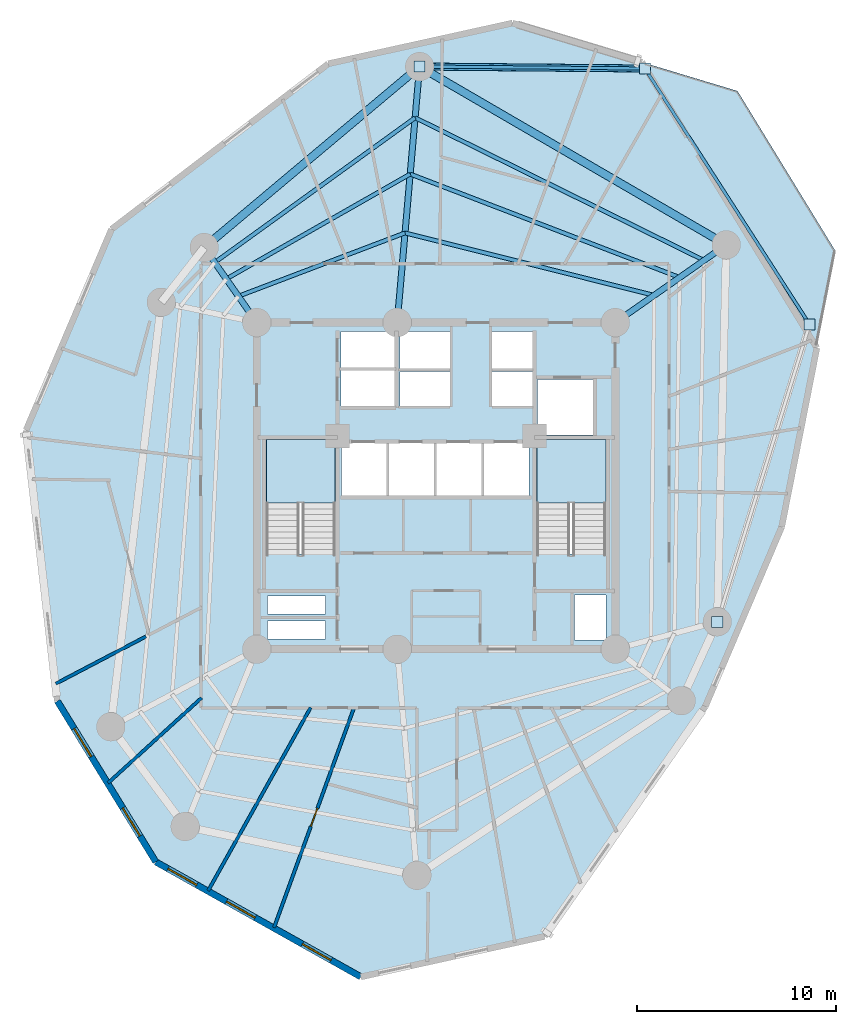
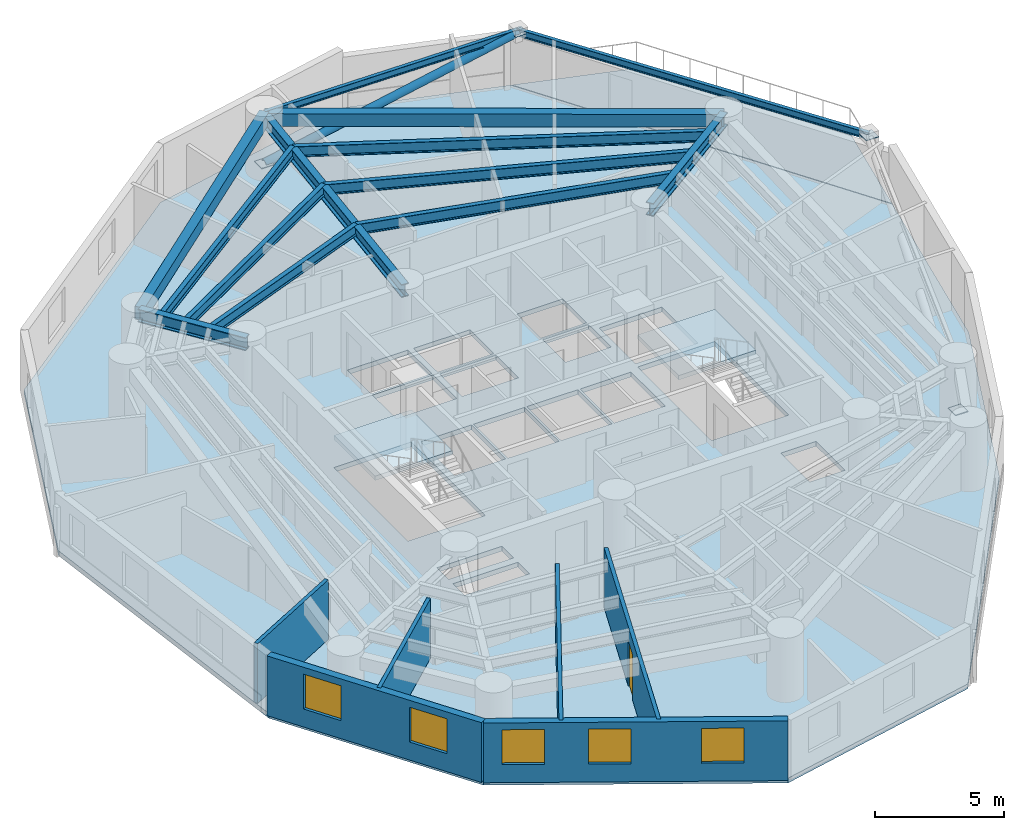
# One storey, part 2 of 9: 13 beams, 6 walls, 5 windows, 4 plates, 4 slabs, 1 door, 1 member, 6 openings, 2 elements without a shape of their own.
"""IFC4 building model written with IfcOpenShell, lengths in metres."""

from ifc_helpers import new_model, si_unit, direction, frame, frame_2d, origin, origin_with_axes, origin_2d, place, context, subcontext, project, spatial, polyline, rectangle, hollow_circle, i_section, outline, extrude, source, transform, mapped, material, layer, layer_set, material_profile, profile_set, type_object, element, fill, aggregate, save


model = new_model("IFC4")

# Units and contexts
model_context = context("Model", 3, precision=1e-05, world=origin(), true_north=direction((0.0, 1.0)))
body_context = subcontext(model_context, "Body", "Model", "MODEL_VIEW")
ifc_project = project(units=[si_unit("LENGTHUNIT", "METRE"), si_unit("AREAUNIT", "SQUARE_METRE"), si_unit("VOLUMEUNIT", "CUBIC_METRE"), si_unit("PLANEANGLEUNIT", "RADIAN"), si_unit("MASSUNIT", "GRAM", prefix="KILO")], contexts=[model_context])

# Site, building, storey
site_placement = place(None, origin())
site = spatial("IfcSite", under=ifc_project, at=site_placement, CompositionType="ELEMENT")
building_placement = place(site_placement, origin())
building = spatial("IfcBuilding", under=site, at=building_placement, Name="Karkom Vertical University and Central Library", CompositionType="ELEMENT")
storey_placement = place(building_placement, frame((0.0, 0.0, 129.75)))
storey = spatial("IfcBuildingStorey", under=building, at=storey_placement, Name="L36", CompositionType="ELEMENT", Elevation=129.75)

# Beams
ifc_material_1 = material(Name="Precast concrete C45/55", Category="concrete")
ifc_material_profile_1 = material_profile(ifc_material_1, rectangle(XDim=0.39990234375, YDim=0.60009765625, at=origin_2d()), Name="SPB-400x600")
ifc_profile_set_1 = profile_set([ifc_material_profile_1], Name="Precast concrete C45/55")
beam_type_1 = type_object("IfcBeamType", Name="STR-BM-SP-1", PredefinedType="SPANDREL", material=ifc_profile_set_1)
shared_shape_1 = source(origin_with_axes(), body_context, "Body", "SweptSolid", [
    extrude(rectangle(XDim=0.39990234375, YDim=0.60009765625, at=origin_2d()), origin(), (0.0, 0.0, 1.0), 17.808837890625),
])
beam_1_placement = place(storey_placement, frame((43.070068359375, 38.60009765625, 2.52490234375), z_axis=(-0.864512866362, 0.502610688202, 0.0), x_axis=(-0.502610688202, -0.864512866362, 0.0)))
element("IfcBeam", 1, at=beam_1_placement, inside=storey, type_object=beam_type_1, Name="Level 36 Perimeter Spandrel Beam 02", PredefinedType="SPANDREL", context=body_context, shape_type="MappedRepresentation", body=[
    mapped(shared_shape_1, transform((0.0, 0.0, 0.0), scale=1.0)),
])
shared_shape_2 = source(origin_with_axes(), body_context, "Body", "SweptSolid", [
    extrude(rectangle(XDim=0.39990234375, YDim=0.60009765625, at=origin_2d()), origin(), (0.0, 0.0, 1.0), 14.120849609375),
])
beam_2_placement = place(storey_placement, frame((27.674072265625, 47.551025390625, 2.52490234375), z_axis=(-0.765672847866, -0.643230199883, 0.0), x_axis=(0.643230199883, -0.765672847866, 0.0)))
element("IfcBeam", 2, at=beam_2_placement, inside=storey, type_object=beam_type_1, Name="Level 36 Perimeter Spandrel Beam 03", PredefinedType="SPANDREL", context=body_context, shape_type="MappedRepresentation", body=[
    mapped(shared_shape_2, transform((0.0, 0.0, 0.0), scale=1.0)),
])
ifc_material_2 = material(Name="Steel S355", Category="steel")
ifc_material_profile_2 = material_profile(ifc_material_2, i_section(OverallWidth=0.199951171875, OverallDepth=0.5, WebThickness=0.01025390625, FlangeThickness=0.01611328125, FilletRadius=0.02099609375, at=origin_2d()), Name="IPE 500")
ifc_profile_set_2 = profile_set([ifc_material_profile_2], Name="Steel S355")
beam_type_2 = type_object("IfcBeamType", Name="STR-BM-SB-IPE500", PredefinedType="BEAM", material=ifc_profile_set_2)
shared_shape_3 = source(origin_with_axes(), body_context, "Body", "SweptSolid", [
    extrude(i_section(OverallWidth=0.199951171875, OverallDepth=0.5, WebThickness=0.01025390625, FlangeThickness=0.01611328125, FilletRadius=0.02099609375, at=origin_2d()), origin(), (0.0, 0.0, 1.0), 12.892578125),
])
beam_3_placement = place(storey_placement, frame((39.449462890625, 36.06494140625, 2.574951171875), z_axis=(-0.970023194321, 0.243012350468, 0.0), x_axis=(-0.243012350468, -0.970023194321, 0.0)))
element("IfcBeam", 3, at=beam_3_placement, inside=storey, type_object=beam_type_2, Name="Level 36 Secondary Composite Floor Beam 1.02", PredefinedType="BEAM", context=body_context, shape_type="MappedRepresentation", body=[
    mapped(shared_shape_3, transform((0.0, 0.0, 0.0), scale=1.0)),
])
shared_shape_4 = source(origin_with_axes(), body_context, "Body", "SweptSolid", [
    extrude(i_section(OverallWidth=0.199951171875, OverallDepth=0.5, WebThickness=0.01025390625, FlangeThickness=0.01611328125, FilletRadius=0.02099609375, at=origin_2d()), origin(), (0.0, 0.0, 1.0), 8.950439453125),
])
beam_4_placement = place(storey_placement, frame((26.943359375, 39.197998046875, 2.574951171875), z_axis=(-0.93478901494, -0.355203459368, 0.0), x_axis=(0.355203459368, -0.93478901494, 0.0)))
element("IfcBeam", 4, at=beam_4_placement, inside=storey, type_object=beam_type_2, Name="Level 36 Secondary Composite Floor Beam 1.03", PredefinedType="BEAM", context=body_context, shape_type="MappedRepresentation", body=[
    mapped(shared_shape_4, transform((0.0, 0.0, 0.0), scale=1.0)),
])
shared_shape_5 = source(origin_with_axes(), body_context, "Body", "SweptSolid", [
    extrude(i_section(OverallWidth=0.199951171875, OverallDepth=0.5, WebThickness=0.01025390625, FlangeThickness=0.01611328125, FilletRadius=0.02099609375, at=origin_2d()), origin(), (0.0, 0.0, 1.0), 14.49072265625),
])
beam_5_placement = place(storey_placement, frame((40.730712890625, 36.9619140625, 2.574951171875), z_axis=(-0.93361673171, 0.35827335691, 0.0), x_axis=(-0.35827335691, -0.93361673171, 0.0)))
element("IfcBeam", 5, at=beam_5_placement, inside=storey, type_object=beam_type_2, Name="Level 36 Secondary Composite Floor Beam 2.02", PredefinedType="BEAM", context=body_context, shape_type="MappedRepresentation", body=[
    mapped(shared_shape_5, transform((0.0, 0.0, 0.0), scale=1.0)),
])
shared_shape_6 = source(origin_with_axes(), body_context, "Body", "SweptSolid", [
    extrude(i_section(OverallWidth=0.199951171875, OverallDepth=0.5, WebThickness=0.01025390625, FlangeThickness=0.01611328125, FilletRadius=0.02099609375, at=origin_2d()), origin(), (0.0, 0.0, 1.0), 10.629150390625),
])
beam_6_placement = place(storey_placement, frame((27.201904296875, 42.153564453125, 2.574951171875), z_axis=(-0.868539813491, -0.495619402748, 0.0), x_axis=(0.495619402748, -0.868539813491, 0.0)))
element("IfcBeam", 6, at=beam_6_placement, inside=storey, type_object=beam_type_2, Name="Level 36 Secondary Composite Floor Beam 2.03", PredefinedType="BEAM", context=body_context, shape_type="MappedRepresentation", body=[
    mapped(shared_shape_6, transform((0.0, 0.0, 0.0), scale=1.0)),
])
shared_shape_7 = source(origin_with_axes(), body_context, "Body", "SweptSolid", [
    extrude(i_section(OverallWidth=0.199951171875, OverallDepth=0.5, WebThickness=0.01025390625, FlangeThickness=0.01611328125, FilletRadius=0.02099609375, at=origin_2d()), origin(), (0.0, 0.0, 1.0), 16.177978515625),
])
beam_7_placement = place(storey_placement, frame((41.9560546875, 37.820068359375, 2.574951171875), z_axis=(-0.896709262653, 0.442620038263, 0.0), x_axis=(-0.442620038263, -0.896709262653, 0.0)))
element("IfcBeam", 7, at=beam_7_placement, inside=storey, type_object=beam_type_2, Name="Level 36 Secondary Composite Floor Beam 3.02", PredefinedType="BEAM", context=body_context, shape_type="MappedRepresentation", body=[
    mapped(shared_shape_7, transform((0.0, 0.0, 0.0), scale=1.0)),
])
shared_shape_8 = source(origin_with_axes(), body_context, "Body", "SweptSolid", [
    extrude(i_section(OverallWidth=0.199951171875, OverallDepth=0.5, WebThickness=0.01025390625, FlangeThickness=0.01611328125, FilletRadius=0.02099609375, at=origin_2d()), origin(), (0.0, 0.0, 1.0), 12.409423828125),
])
beam_8_placement = place(storey_placement, frame((27.44921875, 44.980712890625, 2.574951171875), z_axis=(-0.810636686292, -0.585549453793, 0.0), x_axis=(0.585549453793, -0.810636686292, 0.0)))
element("IfcBeam", 8, at=beam_8_placement, inside=storey, type_object=beam_type_2, Name="Level 36 Secondary Composite Floor Beam 3.03", PredefinedType="BEAM", context=body_context, shape_type="MappedRepresentation", body=[
    mapped(shared_shape_8, transform((0.0, 0.0, 0.0), scale=1.0)),
])
ifc_material_profile_3 = material_profile(ifc_material_2, i_section(OverallWidth=0.300048828125, OverallDepth=0.60009765625, WebThickness=0.015380859375, FlangeThickness=0.030029296875, FilletRadius=0.027099609375, at=origin_2d()), Name="HE 600 B")
ifc_profile_set_3 = profile_set([ifc_material_profile_3], Name="Steel S355")
beam_type_3 = type_object("IfcBeamType", Name="STR-BM-SB-HE600", PredefinedType="USERDEFINED", material=ifc_profile_set_3)
shared_shape_9 = source(origin_with_axes(), body_context, "Body", "SweptSolid", [
    extrude(i_section(OverallWidth=0.300048828125, OverallDepth=0.60009765625, WebThickness=0.015380859375, FlangeThickness=0.030029296875, FilletRadius=0.027099609375, at=origin_2d()), origin(), (0.0, 0.0, 1.0), 6.7998046875),
])
beam_9_placement = place(storey_placement, frame((37.5, 34.699951171875, 2.52490234375), z_axis=(0.819156008334, 0.573570775066, 0.0), x_axis=(-0.573570775066, 0.819156008334, 0.0)))
element("IfcBeam", 9, at=beam_9_placement, inside=storey, type_object=beam_type_3, Name="Level 36 Radial Frame Girder 02", ObjectType="GIRDER", PredefinedType="USERDEFINED", context=body_context, shape_type="MappedRepresentation", body=[
    mapped(shared_shape_9, transform((0.0, 0.0, 0.0), scale=1.0)),
])
shared_shape_10 = source(origin_with_axes(), body_context, "Body", "SweptSolid", [
    extrude(i_section(OverallWidth=0.300048828125, OverallDepth=0.60009765625, WebThickness=0.015380859375, FlangeThickness=0.030029296875, FilletRadius=0.027099609375, at=origin_2d()), origin(), (0.0, 0.0, 1.0), 12.900146484375),
])
beam_10_placement = place(storey_placement, frame((26.550048828125, 34.699951171875, 2.52490234375), z_axis=(0.087132673751, 0.996196716098, 0.0), x_axis=(-0.996196716098, 0.087132673751, 0.0)))
element("IfcBeam", 10, at=beam_10_placement, inside=storey, type_object=beam_type_3, Name="Level 36 Radial Frame Girder 03", ObjectType="GIRDER", PredefinedType="USERDEFINED", context=body_context, shape_type="MappedRepresentation", body=[
    mapped(shared_shape_10, transform((0.0, 0.0, 0.0), scale=1.0)),
])
shared_shape_11 = source(origin_with_axes(), body_context, "Body", "SweptSolid", [
    extrude(i_section(OverallWidth=0.300048828125, OverallDepth=0.60009765625, WebThickness=0.015380859375, FlangeThickness=0.030029296875, FilletRadius=0.027099609375, at=origin_2d()), origin(), (0.0, 0.0, 1.0), 4.599609375),
])
beam_11_placement = place(storey_placement, frame((19.5, 34.699951171875, 2.52490234375), z_axis=(-0.573505090764, 0.819201996377, 0.0), x_axis=(-0.819201996377, -0.573505090764, 0.0)))
element("IfcBeam", 11, at=beam_11_placement, inside=storey, type_object=beam_type_3, Name="Level 36 Radial Frame Girder 04", ObjectType="GIRDER", PredefinedType="USERDEFINED", context=body_context, shape_type="MappedRepresentation", body=[
    mapped(shared_shape_11, transform((0.0, 0.0, 0.0), scale=1.0)),
])
ifc_material_profile_4 = material_profile(ifc_material_2, i_section(OverallWidth=0.159912109375, OverallDepth=0.330078125, WebThickness=0.007568359375, FlangeThickness=0.011474609375, FilletRadius=0.01806640625, at=origin_2d()), Name="IPE 330")
ifc_profile_set_4 = profile_set([ifc_material_profile_4], Name="Steel S355")
beam_type_4 = type_object("IfcBeamType", Name="STR-BM-SB-IPE330", PredefinedType="BEAM", material=ifc_profile_set_4)
shared_shape_12 = source(origin_with_axes(), body_context, "Body", "SweptSolid", [
    extrude(i_section(OverallWidth=0.159912109375, OverallDepth=0.330078125, WebThickness=0.007568359375, FlangeThickness=0.011474609375, FilletRadius=0.01806640625, at=origin_2d()), origin(), (0.0, 0.0, 1.0), 11.3095703125),
])
beam_12_placement = place(storey_placement, frame((27.674072265625, 47.551025390625, 2.659912109375), z_axis=(0.999962532067, -0.008656469396, 0.0), x_axis=(0.008656469396, 0.999962532067, 0.0)))
element("IfcBeam", 12, at=beam_12_placement, inside=storey, type_object=beam_type_4, Name="Level 36 Sky Garden Outrigger Support Beam 2", PredefinedType="BEAM", context=body_context, shape_type="MappedRepresentation", body=[
    mapped(shared_shape_12, transform((0.0, 0.0, 0.0), scale=1.0)),
])

# Member
ifc_material_profile_5 = material_profile(ifc_material_2, hollow_circle(Radius=0.177734375, WallThickness=0.01611328125, at=origin_2d()), Name="CHS 355.6x16")
ifc_profile_set_5 = profile_set([ifc_material_profile_5], Name="Steel S355")
member_type = type_object("IfcMemberType", Name="STR-MEM-BR-3", PredefinedType="BRACE", material=ifc_profile_set_5)
shared_shape_13 = source(origin_with_axes(), body_context, "Body", "SweptSolid", [
    extrude(hollow_circle(Radius=0.177734375, WallThickness=0.01611328125, at=origin_2d()), origin(), (0.0, 0.0, 1.0), 11.54296875),
])
member_placement = place(storey_placement, frame((27.674072265625, 47.551025390625, 0.35009765625), z_axis=(0.979737599857, -0.008481386329, 0.200105725837), x_axis=(0.008656469396, 0.999962532067, 0.0)))
element("IfcMember", 13, at=member_placement, inside=storey, type_object=member_type, Name="Level 36 Sky Garden Knee Strut Brace 2", PredefinedType="BRACE", context=body_context, shape_type="MappedRepresentation", body=[
    mapped(shared_shape_13, transform((0.0, 0.0, 0.0), scale=1.0)),
])

# Beam
shared_shape_14 = source(origin_with_axes(), body_context, "Body", "SweptSolid", [
    extrude(i_section(OverallWidth=0.159912109375, OverallDepth=0.330078125, WebThickness=0.007568359375, FlangeThickness=0.011474609375, FilletRadius=0.01806640625, at=origin_2d()), origin(), (0.0, 0.0, 1.0), 15.278564453125),
])
beam_13_placement = place(storey_placement, frame((47.25146484375, 34.605224609375, 2.659912109375), z_axis=(-0.541171834457, 0.840912032017, 0.0), x_axis=(-0.840912032017, -0.541171834457, 0.0)))
element("IfcBeam", 14, at=beam_13_placement, inside=storey, type_object=beam_type_4, Name="Level 36 Sky Garden Perimeter Edge Beam", PredefinedType="BEAM", context=body_context, shape_type="MappedRepresentation", body=[
    mapped(shared_shape_14, transform((0.0, 0.0, 0.0), scale=1.0)),
])

# Stair, slab
ifc_material_3 = material(Name="Concrete C45/55", Category="concrete")
stair_type = type_object("IfcStairType", Name="INT-STR-ST-MAIN", PredefinedType="HALF_TURN_STAIR", material=ifc_material_3)
stair_1_placement = place(storey_placement, origin())
stair_1 = element("IfcStair", 15, at=stair_1_placement, inside=storey, type_object=stair_type, Name="Level 36 Tower Protected Exit Stair ST-1", PredefinedType="HALF_TURN_STAIR")
ifc_layer_1 = layer(ifc_material_3, 0.199951171875)
ifc_layer_set_1 = layer_set([ifc_layer_1], Name="Concrete C45/55")
slab_type_1 = type_object("IfcSlabType", Name="INT-SLB-LANDING", PredefinedType="LANDING", material=ifc_layer_set_1)
slab_1_placement = place(storey_placement, frame((0.0, 0.0, 1.324951171875)))
slab_1 = element("IfcSlab", 16, at=slab_1_placement, type_object=slab_type_1, Name="ST-1 landing 1", PredefinedType="LANDING", context=body_context, shape_type="SweptSolid", body=[
    extrude(outline(polyline([(23.43994140625, 25.6298828125), (23.43994140625, 28.820068359375), (19.97998046875, 28.820068359375), (19.97998046875, 25.6298828125), (23.43994140625, 25.6298828125)])), origin(), (0.0, 0.0, 1.0), 0.199951171875),
])
aggregate(stair_1, [slab_1])

stair_2_placement = place(storey_placement, origin())
stair_2 = element("IfcStair", 17, at=stair_2_placement, inside=storey, type_object=stair_type, Name="Level 36 Tower Protected Exit Stair ST-2", PredefinedType="HALF_TURN_STAIR")
slab_2_placement = place(storey_placement, frame((0.0, 0.0, 1.324951171875)))
slab_2 = element("IfcSlab", 18, at=slab_2_placement, type_object=slab_type_1, Name="ST-2 landing 1", PredefinedType="LANDING", context=body_context, shape_type="SweptSolid", body=[
    extrude(outline(polyline([(37.02001953125, 25.6298828125), (37.02001953125, 28.820068359375), (33.56005859375, 28.820068359375), (33.56005859375, 25.6298828125), (37.02001953125, 25.6298828125)])), origin(), (0.0, 0.0, 1.0), 0.199951171875),
])
aggregate(stair_2, [slab_2])

# Slabs
ifc_layer_2 = layer(ifc_material_3, 0.22509765625)
ifc_layer_set_2 = layer_set([ifc_layer_2], Name="Concrete C45/55")
slab_type_2 = type_object("IfcSlabType", Name="STR-SLB-FLR-225", PredefinedType="FLOOR", material=ifc_layer_set_2)
slab_3_placement = place(storey_placement, frame((0.0, 0.0, -0.22509765625)))
element("IfcSlab", 19, at=slab_3_placement, inside=storey, type_object=slab_type_2, Name="Level 36 Tower Structural Floor Slab", PredefinedType="FLOOR", context=body_context, shape_type="SweptSolid", body=[
    extrude(outline(polyline([(7.9208984375, 29.293212890625), (9.4873046875, 15.694091796875), (14.4296875, 7.62060546875), (24.720703125, 1.85009765625), (33.94482421875, 3.885986328125), (42.01806640625, 15.4306640625), (45.850341796875, 24.441162109375), (47.615478515625, 33.42529296875), (38.833984375, 47.77001953125), (32.339111328125, 49.730712890625), (23.09521484375, 47.6904296875), (12.21337890625, 39.3857421875), (7.9208984375, 29.293212890625)]), holes=[polyline([(19.97998046875, 23.0849609375), (23.43994140625, 23.0849609375), (23.43994140625, 28.820068359375), (19.97998046875, 28.820068359375), (19.97998046875, 23.0849609375)]), polyline([(33.56005859375, 23.0849609375), (37.02001953125, 23.0849609375), (37.02001953125, 28.820068359375), (33.56005859375, 28.820068359375), (33.56005859375, 23.0849609375)]), polyline([(23.75, 26.0), (26.030029296875, 26.0), (26.030029296875, 28.64990234375), (23.75, 28.64990234375), (23.75, 26.0)]), polyline([(26.1298828125, 26.0), (28.409912109375, 26.0), (28.409912109375, 28.64990234375), (26.1298828125, 28.64990234375), (26.1298828125, 26.0)]), polyline([(28.510009765625, 26.0), (30.7900390625, 26.0), (30.7900390625, 28.64990234375), (28.510009765625, 28.64990234375), (28.510009765625, 26.0)]), polyline([(30.889892578125, 26.0), (33.169921875, 26.0), (33.169921875, 28.64990234375), (30.889892578125, 28.64990234375), (30.889892578125, 26.0)]), polyline([(26.679931640625, 30.5), (29.199951171875, 30.5), (29.199951171875, 32.25), (26.679931640625, 32.25), (26.679931640625, 30.5)]), polyline([(26.679931640625, 32.39990234375), (29.199951171875, 32.39990234375), (29.199951171875, 34.25), (26.679931640625, 34.25), (26.679931640625, 32.39990234375)]), polyline([(31.300048828125, 30.5), (33.35009765625, 30.5), (33.35009765625, 32.25), (31.300048828125, 32.25), (31.300048828125, 30.5)]), polyline([(31.300048828125, 32.39990234375), (33.35009765625, 32.39990234375), (33.35009765625, 34.25), (31.300048828125, 34.25), (31.300048828125, 32.39990234375)]), polyline([(23.719970703125, 30.47998046875), (26.429931640625, 30.47998046875), (26.429931640625, 32.320068359375), (23.719970703125, 32.320068359375), (23.719970703125, 30.47998046875)]), polyline([(23.719970703125, 32.419921875), (26.429931640625, 32.419921875), (26.429931640625, 34.260009765625), (23.719970703125, 34.260009765625), (23.719970703125, 32.419921875)]), polyline([(33.60009765625, 29.050048828125), (36.39990234375, 29.050048828125), (36.39990234375, 31.85009765625), (33.60009765625, 31.85009765625), (33.60009765625, 29.050048828125)]), polyline([(20.050048828125, 18.820068359375), (22.949951171875, 18.820068359375), (22.949951171875, 19.719970703125), (20.050048828125, 19.719970703125), (20.050048828125, 18.820068359375)]), polyline([(20.050048828125, 20.06005859375), (22.949951171875, 20.06005859375), (22.949951171875, 20.9599609375), (20.050048828125, 20.9599609375), (20.050048828125, 20.06005859375)]), polyline([(35.4599609375, 18.760009765625), (37.0400390625, 18.760009765625), (37.0400390625, 21.010009765625), (35.4599609375, 21.010009765625), (35.4599609375, 18.760009765625)])]), origin(), (0.0, 0.0, 1.0), 0.22509765625),
])
ifc_layer_3 = layer(ifc_material_3, 0.199951171875)
ifc_layer_set_3 = layer_set([ifc_layer_3], Name="Concrete C45/55")
slab_type_3 = type_object("IfcSlabType", Name="STR-SLB-PLN-260", PredefinedType="USERDEFINED", material=ifc_layer_set_3)
slab_4_placement = place(storey_placement, frame((0.0, 0.0, -0.22509765625)))
element("IfcSlab", 20, at=slab_4_placement, inside=storey, type_object=slab_type_3, Name="Level 36 Spiral Sky Garden Planter Terrace", ObjectType="PLANTER", PredefinedType="USERDEFINED", context=body_context, shape_type="SweptSolid", body=[
    extrude(outline(polyline([(43.634033203125, 46.32080078125), (48.56591796875, 38.264404296875), (47.62109375, 33.4541015625), (38.86279296875, 47.76123046875), (43.634033203125, 46.32080078125)])), origin(), (0.0, 0.0, 1.0), 0.22509765625),
])

# Plates
ifc_layer_4 = layer(ifc_material_2, 0.028076171875)
ifc_layer_set_4 = layer_set([ifc_layer_4], Name="Steel S355")
plate_type = type_object("IfcPlateType", Name="STR-PLT-GP-2", PredefinedType="USERDEFINED", material=ifc_layer_set_4)
shared_shape_15 = source(origin_with_axes(), body_context, "Body", "SweptSolid", [
    extrude(rectangle(XDim=0.56005859375, YDim=0.56005859375, at=origin_2d()), origin(), (0.0, 0.0, 1.0), 0.028076171875),
])
for number, where, z_axis, x_axis, name in (
    (21, (42.618896484375, 19.672119140625, 0.3359375), (0.0, 0.0, 1.0), (1.0, 0.0, 0.0), "Level 36 Node Gusset Cap Plate L36-SKG-KNEE-1 A"),
    (22, (47.25146484375, 34.605224609375, 2.64599609375), (0.0, 0.0, 1.0), (1.0, 0.0, 0.0), "Level 36 Node Gusset Cap Plate L36-SKG-KNEE-1 B"),
    (23, (27.674072265625, 47.551025390625, 0.3359375), (0.0, 0.0, 1.0), (1.0, 0.0, 0.0), "Level 36 Node Gusset Cap Plate L36-SKG-KNEE-2 A"),
    (24, (38.983154296875, 47.453125, 2.64599609375), (0.0, 0.0, 1.0), (1.0, 0.0, 0.0), "Level 36 Node Gusset Cap Plate L36-SKG-KNEE-2 B"),
):
    element("IfcPlate", number, at=place(storey_placement, frame(where, z_axis=z_axis, x_axis=x_axis)), inside=storey, type_object=plate_type, Name=name, ObjectType="GUSSET PLATE", PredefinedType="USERDEFINED", context=body_context, shape_type="MappedRepresentation", body=[
        mapped(shared_shape_15, transform((0.0, 0.0, 0.0), scale=1.0)),
    ])

# Wall, openings, windows
ifc_material_4 = material(Name="Brick-faced precast concrete C45/55", Category="masonry")
ifc_layer_5 = layer(ifc_material_4, 0.320068359375)
ifc_layer_set_5 = layer_set([ifc_layer_5], Name="Brick-faced precast concrete C45/55")
wall_type_1 = type_object("IfcWallType", Name="ENV-WL-BRK-320", PredefinedType="SOLIDWALL", material=ifc_layer_set_5)
wall_1_placement = place(storey_placement, frame((9.4873046875, 15.694091796875, 0.0), z_axis=(0.0, 0.0, 1.0), x_axis=(0.522110215284, -0.852878023574, 0.0)))
wall_1 = element("IfcWall", 25, at=wall_1_placement, inside=storey, type_object=wall_type_1, Name="Level 36 Brick-Faced Precast Facade Wall 02", PredefinedType="SOLIDWALL", context=body_context, shape_type="SweptSolid", body=[
    extrude(rectangle(XDim=9.466064453125, YDim=0.320068359375, at=frame_2d((4.73291015625, 0.0))), origin(), (0.0, 0.0, 1.0), 2.824951171875),
])
opening_1_placement = place(wall_1_placement, frame((1.6201171875, 0.0, 0.85009765625)))
opening_1 = element("IfcOpeningElement", 26, at=opening_1_placement, cuts=wall_1, Name="Opening WN-06", PredefinedType="OPENING", context=body_context, shape_type="SweptSolid", body=[
    extrude(rectangle(XDim=1.64990234375, YDim=1.64990234375, at=frame_2d((0.824951171875, 0.824951171875))), frame((0.0, 0.169921875, 0.0), z_axis=(0.0, -1.0, 0.0), x_axis=(1.0, 0.0, 0.0)), (0.0, 0.0, 1.0), 0.340087890625),
])
opening_2_placement = place(wall_1_placement, frame((6.29345703125, 0.0, 0.85009765625)))
opening_2 = element("IfcOpeningElement", 27, at=opening_2_placement, cuts=wall_1, Name="Opening WN-06", PredefinedType="OPENING", context=body_context, shape_type="SweptSolid", body=[
    extrude(rectangle(XDim=1.64990234375, YDim=1.64990234375, at=frame_2d((0.824951171875, 0.824951171875))), frame((0.0, 0.169921875, 0.0), z_axis=(0.0, -1.0, 0.0), x_axis=(1.0, 0.0, 0.0)), (0.0, 0.0, 1.0), 0.340087890625),
])
ifc_material_5 = material(Name="Aluminium thermal-break frame with solar-control IGU", Category="aluminium")
window_type = type_object("IfcWindowType", Name="ENV-WIN-WN-06", PartitioningType="SINGLE_PANEL", PredefinedType="WINDOW", material=ifc_material_5)
shared_shape_16 = source(origin_with_axes(), body_context, "Body", "SweptSolid", [
    extrude(rectangle(XDim=1.64990234375, YDim=1.64990234375, at=frame_2d((0.824951171875, 0.824951171875))), frame((0.0, 0.030029296875, 0.0), z_axis=(0.0, -1.0, 0.0), x_axis=(1.0, 0.0, 0.0)), (0.0, 0.0, 1.0), 0.06005859375),
])
window_1_placement = place(opening_1_placement, origin())
window_1 = element("IfcWindow", 28, at=window_1_placement, inside=storey, type_object=window_type, Name="Level 36 Punched Window 2.1", OverallHeight=1.64990234375, OverallWidth=1.64990234375, PartitioningType="SINGLE_PANEL", PredefinedType="WINDOW", context=body_context, shape_type="MappedRepresentation", body=[
    mapped(shared_shape_16, transform((0.0, 0.0, 0.0), scale=1.0)),
])
fill(opening_1, window_1)
window_2_placement = place(opening_2_placement, origin())
window_2 = element("IfcWindow", 29, at=window_2_placement, inside=storey, type_object=window_type, Name="Level 36 Punched Window 2.2", OverallHeight=1.64990234375, OverallWidth=1.64990234375, PartitioningType="SINGLE_PANEL", PredefinedType="WINDOW", context=body_context, shape_type="MappedRepresentation", body=[
    mapped(shared_shape_16, transform((0.0, 0.0, 0.0), scale=1.0)),
])
fill(opening_2, window_2)

wall_2_placement = place(storey_placement, frame((14.4296875, 7.62060546875, 0.0), z_axis=(0.0, 0.0, 1.0), x_axis=(0.872233474303, -0.489089732365, 0.0)))
wall_2 = element("IfcWall", 30, at=wall_2_placement, inside=storey, type_object=wall_type_1, Name="Level 36 Brick-Faced Precast Facade Wall 03", PredefinedType="SOLIDWALL", context=body_context, shape_type="SweptSolid", body=[
    extrude(rectangle(XDim=11.798583984375, YDim=0.320068359375, at=frame_2d((5.8994140625, 0.0))), origin(), (0.0, 0.0, 1.0), 2.824951171875),
])
opening_3_placement = place(wall_2_placement, frame((0.705078125, 0.0, 0.85009765625)))
opening_3 = element("IfcOpeningElement", 31, at=opening_3_placement, cuts=wall_2, Name="Opening WN-06", PredefinedType="OPENING", context=body_context, shape_type="SweptSolid", body=[
    extrude(rectangle(XDim=1.64990234375, YDim=1.64990234375, at=frame_2d((0.824951171875, 0.824951171875))), frame((0.0, 0.169921875, 0.0), z_axis=(0.0, -1.0, 0.0), x_axis=(1.0, 0.0, 0.0)), (0.0, 0.0, 1.0), 0.340087890625),
])
opening_4_placement = place(wall_2_placement, frame((4.06787109375, 0.0, 0.85009765625)))
opening_4 = element("IfcOpeningElement", 32, at=opening_4_placement, cuts=wall_2, Name="Opening WN-06", PredefinedType="OPENING", context=body_context, shape_type="SweptSolid", body=[
    extrude(rectangle(XDim=1.64990234375, YDim=1.64990234375, at=frame_2d((0.824951171875, 0.824951171875))), frame((0.0, 0.169921875, 0.0), z_axis=(0.0, -1.0, 0.0), x_axis=(1.0, 0.0, 0.0)), (0.0, 0.0, 1.0), 0.340087890625),
])
opening_5_placement = place(wall_2_placement, frame((8.43701171875, 0.0, 0.85009765625)))
opening_5 = element("IfcOpeningElement", 33, at=opening_5_placement, cuts=wall_2, Name="Opening WN-06", PredefinedType="OPENING", context=body_context, shape_type="SweptSolid", body=[
    extrude(rectangle(XDim=1.64990234375, YDim=1.64990234375, at=frame_2d((0.824951171875, 0.824951171875))), frame((0.0, 0.169921875, 0.0), z_axis=(0.0, -1.0, 0.0), x_axis=(1.0, 0.0, 0.0)), (0.0, 0.0, 1.0), 0.340087890625),
])
window_3_placement = place(opening_3_placement, origin())
window_3 = element("IfcWindow", 34, at=window_3_placement, inside=storey, type_object=window_type, Name="Level 36 Punched Window 3.1", OverallHeight=1.64990234375, OverallWidth=1.64990234375, PartitioningType="SINGLE_PANEL", PredefinedType="WINDOW", context=body_context, shape_type="MappedRepresentation", body=[
    mapped(shared_shape_16, transform((0.0, 0.0, 0.0), scale=1.0)),
])
fill(opening_3, window_3)
window_4_placement = place(opening_4_placement, origin())
window_4 = element("IfcWindow", 35, at=window_4_placement, inside=storey, type_object=window_type, Name="Level 36 Punched Window 3.2", OverallHeight=1.64990234375, OverallWidth=1.64990234375, PartitioningType="SINGLE_PANEL", PredefinedType="WINDOW", context=body_context, shape_type="MappedRepresentation", body=[
    mapped(shared_shape_16, transform((0.0, 0.0, 0.0), scale=1.0)),
])
fill(opening_4, window_4)
window_5_placement = place(opening_5_placement, origin())
window_5 = element("IfcWindow", 36, at=window_5_placement, inside=storey, type_object=window_type, Name="Level 36 Punched Window 3.3", OverallHeight=1.64990234375, OverallWidth=1.64990234375, PartitioningType="SINGLE_PANEL", PredefinedType="WINDOW", context=body_context, shape_type="MappedRepresentation", body=[
    mapped(shared_shape_16, transform((0.0, 0.0, 0.0), scale=1.0)),
])
fill(opening_5, window_5)

# Wall, opening, door
ifc_material_6 = material(Name="Insulated metal-stud drywall 160mm", Category="gypsum")
ifc_layer_6 = layer(ifc_material_6, 0.159912109375)
ifc_layer_set_6 = layer_set([ifc_layer_6], Name="Insulated metal-stud drywall 160mm")
wall_type_2 = type_object("IfcWallType", Name="INT-WL-COR-160", PredefinedType="PARTITIONING", material=ifc_layer_set_6)
wall_3_placement = place(storey_placement, frame((24.38916015625, 15.378173828125, 0.0), z_axis=(0.0, 0.0, 1.0), x_axis=(-0.34195630746, -0.939715852685, 0.0)))
wall_3 = element("IfcWall", 37, at=wall_3_placement, inside=storey, type_object=wall_type_2, Name="Level 36 Interior Partition Wall L36-PW-008", PredefinedType="PARTITIONING", context=body_context, shape_type="SweptSolid", body=[
    extrude(rectangle(XDim=11.765869140625, YDim=0.159912109375, at=frame_2d((5.8828125, 0.0))), origin(), (0.0, 0.0, 1.0), 2.824951171875),
])
opening_6_placement = place(wall_3_placement, frame((5.390380859375, 0.0, 0.0)))
opening_6 = element("IfcOpeningElement", 38, at=opening_6_placement, cuts=wall_3, Name="Opening FD-RM2", PredefinedType="OPENING", context=body_context, shape_type="SweptSolid", body=[
    extrude(rectangle(XDim=0.9599609375, YDim=2.14990234375, at=frame_2d((0.47998046875, 1.074951171875))), frame((0.0, 0.08984375, 0.0), z_axis=(0.0, -1.0, 0.0), x_axis=(1.0, 0.0, 0.0)), (0.0, 0.0, 1.0), 0.179931640625),
])
ifc_material_7 = material(Name="Fire-rated oak veneer door", Category="wood")
door_type = type_object("IfcDoorType", Name="INT-DR-FRM2", OperationType="NOTDEFINED", PredefinedType="DOOR", material=ifc_material_7)
shared_shape_17 = source(origin_with_axes(), body_context, "Body", "SweptSolid", [
    extrude(rectangle(XDim=0.9599609375, YDim=2.14990234375, at=frame_2d((0.47998046875, 1.074951171875))), frame((0.0, 0.02490234375, 0.0), z_axis=(0.0, -1.0, 0.0), x_axis=(1.0, 0.0, 0.0)), (0.0, 0.0, 1.0), 0.050048828125),
])
door_placement = place(opening_6_placement, origin())
door = element("IfcDoor", 39, at=door_placement, inside=storey, type_object=door_type, Name="Level 36 Room Entry Door 060", OperationType="SINGLE_SWING_LEFT", OverallHeight=2.14990234375, OverallWidth=0.9599609375, PredefinedType="DOOR", context=body_context, shape_type="MappedRepresentation", body=[
    mapped(shared_shape_17, transform((0.0, 0.0, 0.0), scale=1.0)),
])
fill(opening_6, door)

# Walls
wall_4_placement = place(storey_placement, frame((22.207275390625, 15.376220703125, 0.0), z_axis=(0.0, 0.0, 1.0), x_axis=(-0.488271237189, -0.872691926704, 0.0)))
element("IfcWall", 40, at=wall_4_placement, inside=storey, type_object=wall_type_2, Name="Level 36 Interior Partition Wall L36-PW-007", PredefinedType="PARTITIONING", context=body_context, shape_type="SweptSolid", body=[
    extrude(rectangle(XDim=10.543701171875, YDim=0.159912109375, at=frame_2d((5.27197265625, 0.0))), origin(), (0.0, 0.0, 1.0), 2.824951171875),
])
wall_5_placement = place(storey_placement, frame((16.7333984375, 15.8623046875, 0.0), z_axis=(0.0, 0.0, 1.0), x_axis=(-0.739260079392, -0.673420028673, 0.0)))
element("IfcWall", 41, at=wall_5_placement, inside=storey, type_object=wall_type_2, Name="Level 36 Interior Partition Wall L36-PW-006", PredefinedType="PARTITIONING", context=body_context, shape_type="SweptSolid", body=[
    extrude(rectangle(XDim=6.355712890625, YDim=0.159912109375, at=frame_2d((3.177734375, 0.0))), origin(), (0.0, 0.0, 1.0), 2.824951171875),
])
wall_6_placement = place(storey_placement, frame((13.9423828125, 18.94189453125, 0.0), z_axis=(0.0, 0.0, 1.0), x_axis=(-0.885820312937, -0.464028418514, 0.0)))
element("IfcWall", 42, at=wall_6_placement, inside=storey, type_object=wall_type_2, Name="Level 36 Interior Partition Wall L36-PW-005", PredefinedType="PARTITIONING", context=body_context, shape_type="SweptSolid", body=[
    extrude(rectangle(XDim=5.10986328125, YDim=0.159912109375, at=frame_2d((2.554931640625, 0.0))), origin(), (0.0, 0.0, 1.0), 2.824951171875),
])

save(model, "model.ifc")
